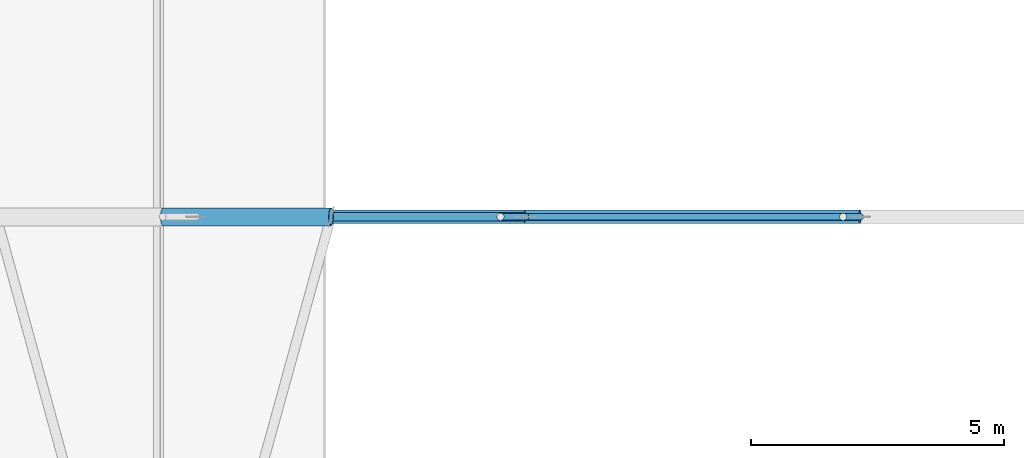
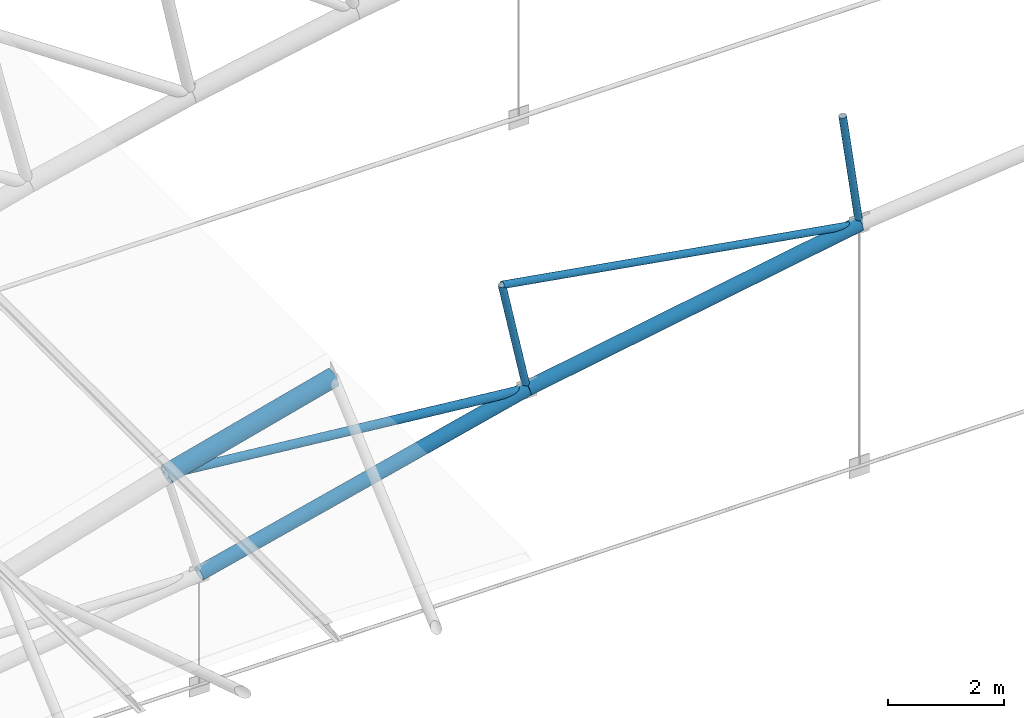
# One storey, part 157 of 321: 7 members.
"""IFC4 building model written with IfcOpenShell, lengths in metres."""

from ifc_helpers import new_model, si_unit, direction, frame, origin, origin_2d, place, context, subcontext, project, spatial, hollow_circle, extrude, material, material_profile, profile_set, type_object, element, save


model = new_model("IFC4")

# Units and contexts
model_context = context("Model", 3, precision=1e-05, world=origin(), true_north=direction((0.0, 1.0)))
body_context = subcontext(model_context, "Body", "Model", "MODEL_VIEW")
ifc_project = project(units=[si_unit("LENGTHUNIT", "METRE"), si_unit("AREAUNIT", "SQUARE_METRE"), si_unit("VOLUMEUNIT", "CUBIC_METRE"), si_unit("PLANEANGLEUNIT", "RADIAN"), si_unit("MASSUNIT", "GRAM", prefix="KILO")], contexts=[model_context])

# Site, building, storey
site_placement = place(None, origin())
site = spatial("IfcSite", under=ifc_project, at=site_placement, CompositionType="ELEMENT")
building_placement = place(site_placement, origin())
building = spatial("IfcBuilding", under=site, at=building_placement, Name="Ravi Spectrum Wholesale Market", CompositionType="ELEMENT")
storey_placement = place(building_placement, frame((0.0, 0.0, 10.800048828125)))
storey = spatial("IfcBuildingStorey", under=building, at=storey_placement, Name="L02", CompositionType="ELEMENT", Elevation=10.800048828125)

# Members
ifc_material_1 = material(Name="Steel S355", Category="steel")
ifc_material_profile_1 = material_profile(ifc_material_1, hollow_circle(Radius=0.06982421875, WallThickness=0.0048828125, at=origin_2d()))
ifc_profile_set_1 = profile_set([ifc_material_profile_1], Name="Steel S355")
member_type_1 = type_object("IfcMemberType", Name="CHS 139.7x5 brace", PredefinedType="BRACE", material=ifc_profile_set_1)
member_1_placement = place(storey_placement, frame((49.55859375, 162.0, 6.30224609375), z_axis=(0.985982518253, 0.0, -0.166848655074), x_axis=(0.0, 1.0, 0.0)))
element("IfcMember", 1, at=member_1_placement, inside=storey, type_object=member_type_1, Name="H1-MB-L02-959", PredefinedType="BRACE", context=body_context, shape_type="SweptSolid", body=[
    extrude(hollow_circle(Radius=0.06982421875, WallThickness=0.0048828125, at=origin_2d()), origin(), (0.0, 0.0, 1.0), 7.1904296875),
])
ifc_material_2 = material(Name="Steel S355", Category="steel")
ifc_material_profile_2 = material_profile(ifc_material_2, hollow_circle(Radius=0.06982421875, WallThickness=0.0048828125, at=origin_2d()))
ifc_profile_set_2 = profile_set([ifc_material_profile_2], Name="Steel S355")
member_type_2 = type_object("IfcMemberType", Name="CHS 139.7x5 post", PredefinedType="POST", material=ifc_profile_set_2)
member_2_placement = place(storey_placement, frame((49.55859375, 162.0, 6.30224609375), z_axis=(0.20547728987, 0.0, -0.978661884078), x_axis=(0.0, 1.0, 0.0)))
element("IfcMember", 2, at=member_2_placement, inside=storey, type_object=member_type_2, Name="H1-MB-L02-948", PredefinedType="POST", context=body_context, shape_type="SweptSolid", body=[
    extrude(hollow_circle(Radius=0.06982421875, WallThickness=0.0048828125, at=origin_2d()), origin(), (0.0, 0.0, 1.0), 2.400146484375),
])
member_3_placement = place(storey_placement, frame((56.318115234375, 162.0, 7.479736328125), z_axis=(0.137532332315, 0.0, -0.990497277921), x_axis=(0.0, 1.0, 0.0)))
element("IfcMember", 3, at=member_3_placement, inside=storey, type_object=member_type_2, Name="H1-MB-L02-949", PredefinedType="POST", context=body_context, shape_type="SweptSolid", body=[
    extrude(hollow_circle(Radius=0.06982421875, WallThickness=0.0048828125, at=origin_2d()), origin(), (0.0, 0.0, 1.0), 2.39990234375),
])
ifc_material_3 = material(Name="Steel S355", Category="steel")
ifc_material_profile_3 = material_profile(ifc_material_3, hollow_circle(Radius=0.084228515625, WallThickness=0.00634765625, at=origin_2d()))
ifc_profile_set_3 = profile_set([ifc_material_profile_3], Name="Steel S355")
member_type_3 = type_object("IfcMemberType", Name="CHS 168.3x6.3 brace", PredefinedType="BRACE", material=ifc_profile_set_3)
member_4_placement = place(storey_placement, frame((42.896240234375, 162.0, 4.661376953125), z_axis=(0.995140525262, 0.0, -0.098464892124), x_axis=(0.0, 1.0, 0.0)))
element("IfcMember", 4, at=member_4_placement, inside=storey, type_object=member_type_3, Name="H1-MB-L02-958", PredefinedType="BRACE", context=body_context, shape_type="SweptSolid", body=[
    extrude(hollow_circle(Radius=0.084228515625, WallThickness=0.00634765625, at=origin_2d()), origin(), (0.0, 0.0, 1.0), 7.1904296875),
])
ifc_material_4 = material(Name="Steel S355", Category="steel")
ifc_material_profile_4 = material_profile(ifc_material_4, hollow_circle(Radius=0.136474609375, WallThickness=0.010009765625, at=origin_2d()))
ifc_profile_set_4 = profile_set([ifc_material_profile_4], Name="Steel S355")
member_type_4 = type_object("IfcMemberType", Name="CHS 273x10 chord", PredefinedType="CHORD", material=ifc_profile_set_4)
for number, where, z_axis, x_axis, name in (
    (5, (43.55029296875, 162.0, 2.35205078125), (0.970981670562, 0.0, 0.23915391578), (0.0, 1.0, 0.0), "H1-MB-L02-936"),
    (6, (50.0517578125, 162.0, 3.953369140625), (0.985162205886, 0.0, 0.171625837489), (0.0, 1.0, 0.0), "H1-MB-L02-937"),
):
    element("IfcMember", number, at=place(storey_placement, frame(where, z_axis=z_axis, x_axis=x_axis)), inside=storey, type_object=member_type_4, Name=name, PredefinedType="CHORD", context=body_context, shape_type="SweptSolid", body=[
        extrude(hollow_circle(Radius=0.136474609375, WallThickness=0.010009765625, at=origin_2d()), origin(), (0.0, 0.0, 1.0), 6.69580078125),
    ])
ifc_material_5 = material(Name="Steel S355", Category="steel")
ifc_material_profile_5 = material_profile(ifc_material_5, hollow_circle(Radius=0.177734375, WallThickness=0.012451171875, at=origin_2d()))
ifc_profile_set_5 = profile_set([ifc_material_profile_5], Name="Steel S355")
member_type_5 = type_object("IfcMemberType", Name="CHS 355.6x12.5 chord", PredefinedType="CHORD", material=ifc_profile_set_5)
member_5_placement = place(storey_placement, frame((42.896240234375, 162.0, 4.661376953125), z_axis=(0.966728003216, 0.0, 0.255806504605), x_axis=(0.0, 1.0, 0.0)))
element("IfcMember", 7, at=member_5_placement, inside=storey, type_object=member_type_5, Name="H1-MB-L02-914", PredefinedType="CHORD", context=body_context, shape_type="SweptSolid", body=[
    extrude(hollow_circle(Radius=0.177734375, WallThickness=0.012451171875, at=origin_2d()), origin(), (0.0, 0.0, 1.0), 3.43115234375),
])

save(model, "model.ifc")
